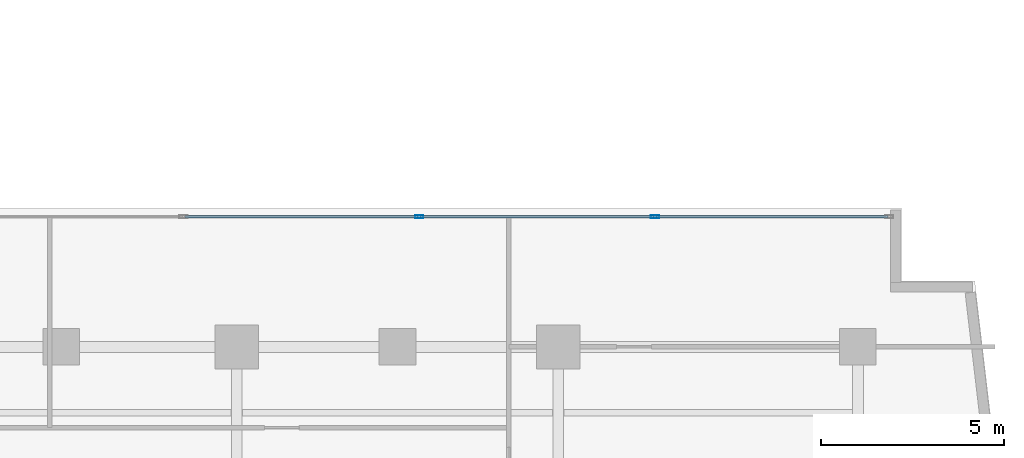
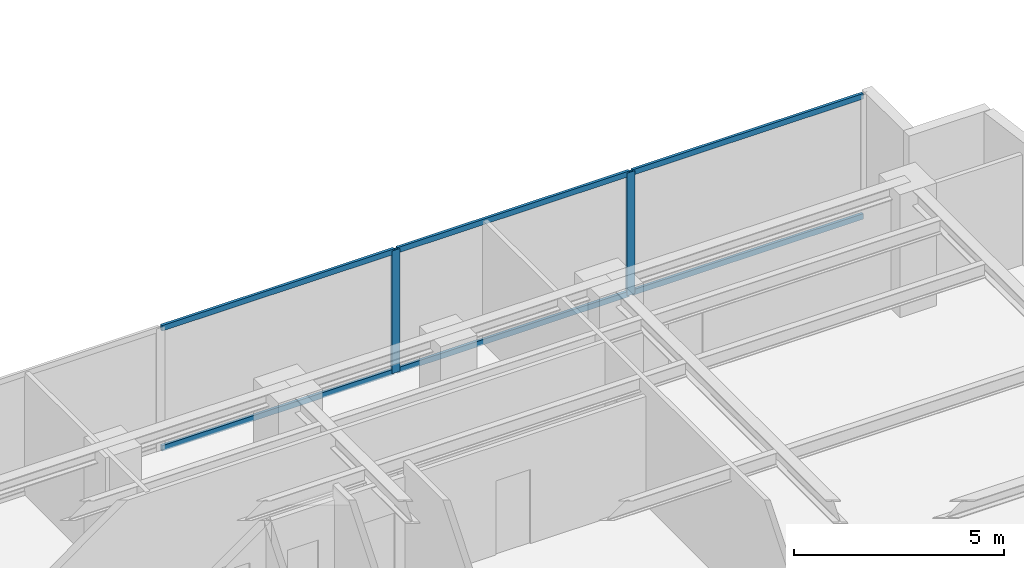
# One storey, part 13 of 26: 8 members, 1 element without a shape of its own.
"""IFC4 building model written with IfcOpenShell, lengths in metres."""

import ifcopenshell
import ifcopenshell.guid

model = None  # the IFC model being written
_history = None  # IfcOwnerHistory: only IFC2X3 demands one
_inside = {}  # id of a spatial element -> (the spatial element, [elements in it])
_under = {}  # id of a project, library or spatial element -> (it, [spatial elements below it])
_declared = {}  # id of a project -> (the project, [libraries it declares])
_typed = {}  # id of a type object -> (the type object, [elements of that type])
_made_of = {}  # id of a material, layer set ... -> (it, [elements and type objects made of it])


def new_model(schema):
    """Start an empty IFC model of exactly this schema.

    Asked for "IFC4X3", IfcOpenShell would pick the latest addendum, in which some entities
    have other attributes; the version numbers below select the first issue.
    IFC2X3 requires an IfcOwnerHistory on every rooted entity: one is made here for all.
    """
    global model, _history
    if schema == "IFC4X3":
        model = ifcopenshell.file(schema_version=(4, 3, 0, 0))
    else:
        model = ifcopenshell.file(schema=schema)
    _inside.clear()
    _under.clear()
    _declared.clear()
    _typed.clear()
    _made_of.clear()
    _history = None
    if model.schema == "IFC2X3":
        org = make("IfcOrganization", Name="unknown")
        user = make(
            "IfcPersonAndOrganization",
            ThePerson=make("IfcPerson", FamilyName="unknown"),
            TheOrganization=org,
        )
        app = make(
            "IfcApplication",
            ApplicationDeveloper=org,
            Version="unknown",
            ApplicationFullName="unknown",
            ApplicationIdentifier="unknown",
        )
        _history = make(
            "IfcOwnerHistory",
            OwningUser=user,
            OwningApplication=app,
            ChangeAction="ADDED",
            CreationDate=0,
        )
    return model


def make(cls, **values):
    """One entity of the class cls with the attributes given. An attribute that is None is left unset."""
    return model.create_entity(
        cls, **{name: value for name, value in values.items() if value is not None}
    )


def rooted(cls, **values):
    """An entity with a GlobalId (a new one), such as an element, a storey or a relation."""
    return make(cls, GlobalId=ifcopenshell.guid.new(), OwnerHistory=_history, **values)


def si_unit(unit_type, name, prefix=None):
    """IfcSIUnit, for example si_unit("LENGTHUNIT", "METRE", prefix="MILLI")."""
    return make("IfcSIUnit", UnitType=unit_type, Prefix=prefix, Name=name)


def assignment(units):
    """IfcUnitAssignment: the units of a project."""
    return None if units is None else make("IfcUnitAssignment", Units=units)


def point(xyz):
    """IfcCartesianPoint."""
    return None if xyz is None else make("IfcCartesianPoint", Coordinates=xyz)


def direction(xyz):
    """IfcDirection."""
    return None if xyz is None else make("IfcDirection", DirectionRatios=xyz)


def frame(location, z_axis=None, x_axis=None):
    """IfcAxis2Placement3D, a coordinate frame: its origin and axes. An axis left out is left unset."""
    return make(
        "IfcAxis2Placement3D",
        Location=point(location),
        Axis=direction(z_axis),
        RefDirection=direction(x_axis),
    )


def frame_2d(location, x_axis=None):
    """IfcAxis2Placement2D, a coordinate frame in the plane: its origin and x axis."""
    return make(
        "IfcAxis2Placement2D", Location=point(location), RefDirection=direction(x_axis)
    )


def origin():
    """The frame at (0, 0, 0) with its axes left unset."""
    return frame((0.0, 0.0, 0.0))


def origin_with_axes():
    """The frame at (0, 0, 0) with the z axis (0, 0, 1) and the x axis (1, 0, 0) written out."""
    return frame((0.0, 0.0, 0.0), z_axis=(0.0, 0.0, 1.0), x_axis=(1.0, 0.0, 0.0))


def origin_2d():
    """The frame at (0, 0) in the plane with its x axis left unset."""
    return frame_2d((0.0, 0.0))


def place(relative_to, where):
    """IfcLocalPlacement: puts the frame where relative to a parent placement (None: the world)."""
    return make(
        "IfcLocalPlacement", PlacementRelTo=relative_to, RelativePlacement=where
    )


def context(
    kind, dimensions, precision=None, world=None, true_north=None, identifier=None
):
    """IfcGeometricRepresentationContext, for example the 3D "Model" context."""
    return make(
        "IfcGeometricRepresentationContext",
        ContextIdentifier=identifier,
        ContextType=kind,
        CoordinateSpaceDimension=dimensions,
        Precision=precision,
        WorldCoordinateSystem=world,
        TrueNorth=true_north,
    )


def subcontext(parent, identifier, kind, view, scale=None):
    """IfcGeometricRepresentationSubContext, for example "Body" below "Model"."""
    return make(
        "IfcGeometricRepresentationSubContext",
        ContextIdentifier=identifier,
        ContextType=kind,
        ParentContext=parent,
        TargetScale=scale,
        TargetView=view,
    )


def project(units=None, contexts=None):
    """IfcProject with its units and contexts."""
    return rooted(
        "IfcProject",
        Name="project",
        RepresentationContexts=contexts,
        UnitsInContext=assignment(units),
    )


def spatial(cls, under=None, at=None, **own):
    """A site, building, storey or space (cls), placed at a placement, below another one or the project."""
    s = rooted(cls, ObjectPlacement=at, **own)
    if under is not None:
        _under.setdefault(under.id(), (under, []))[1].append(s)
    return s


def profile(cls, at=None, kind="AREA", **sizes):
    """A parametric profile (cls). Its sizes go by their IFC names, for example OverallWidth=200.0."""
    return make(cls, ProfileType=kind, Position=at, **sizes)


def hollow_rectangle(**sizes):
    """IfcRectangleHollowProfileDef."""
    return profile("IfcRectangleHollowProfileDef", **sizes)


def extrude(swept, where, along, depth):
    """IfcExtrudedAreaSolid: the profile swept, set in the frame where, extruded along a direction by depth."""
    return make(
        "IfcExtrudedAreaSolid",
        SweptArea=swept,
        Position=where,
        ExtrudedDirection=direction(along),
        Depth=depth,
    )


def shape(context_of_items, identifier, shape_type, items):
    """IfcShapeRepresentation: the items that make up one representation, for example the "Body"."""
    return make(
        "IfcShapeRepresentation",
        ContextOfItems=context_of_items,
        RepresentationIdentifier=identifier,
        RepresentationType=shape_type,
        Items=items,
    )


def source(mapping_origin, context_of_items, identifier, shape_type, items):
    """IfcRepresentationMap: a shape defined once, which mapped items show again and again."""
    return make(
        "IfcRepresentationMap",
        MappingOrigin=mapping_origin,
        MappedRepresentation=shape(context_of_items, identifier, shape_type, items),
    )


def transform(
    local_origin,
    x_axis=None,
    y_axis=None,
    z_axis=None,
    scale=None,
    scale2=None,
    scale3=None,
    uniform=True,
):
    """IfcCartesianTransformationOperator3D, or its non-uniform kind. x_axis, y_axis, z_axis: its Axis1, 2, 3."""
    if uniform:
        return make(
            "IfcCartesianTransformationOperator3D",
            Axis1=direction(x_axis),
            Axis2=direction(y_axis),
            LocalOrigin=point(local_origin),
            Scale=scale,
            Axis3=direction(z_axis),
        )
    return make(
        "IfcCartesianTransformationOperator3DnonUniform",
        Axis1=direction(x_axis),
        Axis2=direction(y_axis),
        LocalOrigin=point(local_origin),
        Scale=scale,
        Axis3=direction(z_axis),
        Scale2=scale2,
        Scale3=scale3,
    )


def mapped(mapping_source, mapping_target):
    """IfcMappedItem: shows the shape of a source again, moved by a transform."""
    return make(
        "IfcMappedItem", MappingSource=mapping_source, MappingTarget=mapping_target
    )


def material(Name=None, Category=None):
    """IfcMaterial."""
    return make("IfcMaterial", Name=Name, Category=Category)


def layer(
    of_material, thickness, ventilated=None, Name=None, Category=None, Priority=None
):
    """IfcMaterialLayer: one layer of a wall or slab, of a material (None: an air gap)."""
    return make(
        "IfcMaterialLayer",
        Material=of_material,
        LayerThickness=thickness,
        IsVentilated=ventilated,
        Name=Name,
        Category=Category,
        Priority=Priority,
    )


def layer_set(layers, Name=None):
    """IfcMaterialLayerSet."""
    return make("IfcMaterialLayerSet", MaterialLayers=layers, LayerSetName=Name)


def material_profile(
    of_material, cross_section, Name=None, Category=None, Priority=None
):
    """IfcMaterialProfile: a cross section and its material."""
    return make(
        "IfcMaterialProfile",
        Name=Name,
        Material=of_material,
        Profile=cross_section,
        Priority=Priority,
        Category=Category,
    )


def profile_set(profiles, Name=None, composite=None):
    """IfcMaterialProfileSet."""
    return make(
        "IfcMaterialProfileSet",
        Name=Name,
        MaterialProfiles=profiles,
        CompositeProfile=composite,
    )


def made_of(thing, what):
    """Note that an element or type object is made of a material, layer set ...; save() writes the relation."""
    if what is not None:
        _made_of.setdefault(what.id(), (what, []))[1].append(thing)
    return thing


def type_object(cls, material=None, **own):
    """A type object (cls), such as IfcWallType, which elements share."""
    return made_of(rooted(cls, **own), material)


def element(
    cls,
    number,
    at=None,
    inside=None,
    cuts=None,
    type_object=None,
    material=None,
    context=None,
    identifier="Body",
    shape_type=None,
    held_by="IfcProductDefinitionShape",
    body=None,
    shapes=None,
    **own,
):
    """One element of the class cls, such as IfcWall. Its Tag is "e" and its number.

    at: its placement. inside: the storey or other place that contains it. cuts: it is an
    opening in that element (IfcRelVoidsElement). A single representation is given by context,
    identifier, shape_type and body (its items); several are given by shapes. held_by: the class
    of the entity that holds the representations. save() writes the other relations.
    """
    e = rooted(cls, Tag="e%d" % number, ObjectPlacement=at, **own)
    if body is not None:
        shapes = [shape(context, identifier, shape_type, body)]
    if shapes is not None:
        e.Representation = make(held_by, Representations=shapes)
    if inside is not None:
        _inside.setdefault(inside.id(), (inside, []))[1].append(e)
    if cuts is not None:
        rooted(
            "IfcRelVoidsElement", RelatingBuildingElement=cuts, RelatedOpeningElement=e
        )
    if type_object is not None:
        _typed.setdefault(type_object.id(), (type_object, []))[1].append(e)
    return made_of(e, material)


def aggregate(whole, parts):
    """IfcRelAggregates: a whole, such as a stair, and the parts it consists of."""
    return rooted("IfcRelAggregates", RelatingObject=whole, RelatedObjects=parts)


def save(model, path):
    """Write the relations noted so far, then the file.

    IfcRelAggregates (storeys below a building ...), IfcRelContainedInSpatialStructure (elements
    in a storey), IfcRelDefinesByType, IfcRelAssociatesMaterial and IfcRelDeclares: one each for
    every whole, place, type object, material and project.
    """
    for whole, parts in _under.values():
        aggregate(whole, parts)
    for where, things in _inside.values():
        rooted(
            "IfcRelContainedInSpatialStructure",
            RelatedElements=things,
            RelatingStructure=where,
        )
    for kind, things in _typed.values():
        rooted("IfcRelDefinesByType", RelatedObjects=things, RelatingType=kind)
    for what, things in _made_of.values():
        rooted("IfcRelAssociatesMaterial", RelatedObjects=things, RelatingMaterial=what)
    for by, libraries in _declared.values():
        rooted("IfcRelDeclares", RelatingContext=by, RelatedDefinitions=libraries)
    model.write(path)


model = new_model("IFC4")

# Units and contexts
model_context = context("Model", 3, precision=1e-05, world=origin(), true_north=direction((0.0, 1.0)))
body_context = subcontext(model_context, "Body", "Model", "MODEL_VIEW")
ifc_project = project(units=[si_unit("LENGTHUNIT", "METRE"), si_unit("AREAUNIT", "SQUARE_METRE"), si_unit("VOLUMEUNIT", "CUBIC_METRE"), si_unit("PLANEANGLEUNIT", "RADIAN"), si_unit("MASSUNIT", "GRAM", prefix="KILO")], contexts=[model_context])

# Site, building, storey
site_placement = place(None, origin())
site = spatial("IfcSite", under=ifc_project, at=site_placement, CompositionType="ELEMENT")
building_placement = place(site_placement, origin())
building = spatial("IfcBuilding", under=site, at=building_placement, Name="Kolvaren Waterfront Exchange", CompositionType="ELEMENT")
storey_placement = place(building_placement, frame((0.0, 0.0, 165.199951171875)))
storey = spatial("IfcBuildingStorey", under=building, at=storey_placement, Name="L42", CompositionType="ELEMENT", Elevation=165.199951171875)

# Curtain wall, members
ifc_material_1 = material(Name="Anodised bronze aluminium 6063-T6", Category="aluminium")
ifc_layer = layer(ifc_material_1, 0.219970703125, Name="Anodised bronze aluminium 6063-T6")
ifc_layer_set = layer_set([ifc_layer], Name="Anodised bronze aluminium 6063-T6")
curtain_wall_type = type_object("IfcCurtainWallType", Name="ARC-CW-SYS1", PredefinedType="USERDEFINED", material=ifc_layer_set)
curtain_wall_placement = place(storey_placement, origin())
curtain_wall = element("IfcCurtainWall", 1, at=curtain_wall_placement, inside=storey, type_object=curtain_wall_type, Name="L42 stick curtain wall CW1 (CW-L42-EN)", ObjectType="STICK CURTAIN WALL", PredefinedType="USERDEFINED")
ifc_material_2 = material(Name="Anodised aluminium 6063-T6", Category="aluminium")
ifc_material_profile_1 = material_profile(ifc_material_2, hollow_rectangle(XDim=0.080078125, YDim=0.219970703125, WallThickness=0.0048828125, at=origin_2d()), Name="ALU-MUL-220x80x5")
ifc_profile_set_1 = profile_set([ifc_material_profile_1], Name="Anodised aluminium 6063-T6")
member_type_1 = type_object("IfcMemberType", Name="ARC-CWM-220", PredefinedType="MULLION", material=ifc_profile_set_1)
shared_shape_1 = source(origin_with_axes(), body_context, "Body", "SweptSolid", [
    extrude(hollow_rectangle(XDim=0.080078125, YDim=0.219970703125, WallThickness=0.0048828125, at=origin_2d()), origin(), (0.0, 0.0, 1.0), 3.56005859375),
])
member_1_placement = place(storey_placement, frame((41.794921875, 20.9599609375, 0.0), z_axis=(0.0, 0.0, 1.0), x_axis=(0.0, 1.0, 0.0)))
member_1 = element("IfcMember", 2, at=member_1_placement, type_object=member_type_1, Name="CW1 mullion 3", PredefinedType="MULLION", context=body_context, shape_type="MappedRepresentation", body=[
    mapped(shared_shape_1, transform((0.0, 0.0, 0.0), x_axis=(1.0, 0.0, 0.0), y_axis=(0.0, 1.0, 0.0), z_axis=(0.0, 0.0, 1.0), scale=1.0)),
])
member_2_placement = place(storey_placement, frame((48.24755859375, 20.9599609375, 0.0), z_axis=(0.0, 0.0, 1.0), x_axis=(0.0, 1.0, 0.0)))
member_2 = element("IfcMember", 3, at=member_2_placement, type_object=member_type_1, Name="CW1 mullion 4", PredefinedType="MULLION", context=body_context, shape_type="MappedRepresentation", body=[
    mapped(shared_shape_1, transform((0.0, 0.0, 0.0), x_axis=(1.0, 0.0, 0.0), y_axis=(0.0, 1.0, 0.0), z_axis=(0.0, 0.0, 1.0), scale=1.0)),
])
ifc_material_profile_2 = material_profile(ifc_material_2, hollow_rectangle(XDim=0.074951171875, YDim=0.159912109375, WallThickness=0.00439453125, at=origin_2d()), Name="ALU-TRN-160x75x4.5")
ifc_profile_set_2 = profile_set([ifc_material_profile_2], Name="Anodised aluminium 6063-T6")
member_type_2 = type_object("IfcMemberType", Name="ARC-CWT-160", PredefinedType="USERDEFINED", material=ifc_profile_set_2)
shared_shape_2 = source(origin_with_axes(), body_context, "Body", "SweptSolid", [
    extrude(hollow_rectangle(XDim=0.074951171875, YDim=0.159912109375, WallThickness=0.00439453125, at=origin_2d()), origin(), (0.0, 0.0, 1.0), 6.33251953125),
])
member_3_placement = place(storey_placement, frame((48.28759765625, 20.9599609375, 0.03759765625), z_axis=(1.0, 0.0, 0.0), x_axis=(0.0, 1.0, 0.0)))
member_3 = element("IfcMember", 4, at=member_3_placement, type_object=member_type_2, Name="CW1 transom 4.1", ObjectType="TRANSOM", PredefinedType="USERDEFINED", context=body_context, shape_type="MappedRepresentation", body=[
    mapped(shared_shape_2, transform((0.0, 0.0, 0.0), x_axis=(1.0, 0.0, 0.0), y_axis=(0.0, 1.0, 0.0), z_axis=(0.0, 0.0, 1.0), scale=1.0)),
])
member_4_placement = place(storey_placement, frame((48.28759765625, 20.9599609375, 3.5224609375), z_axis=(1.0, 0.0, 0.0), x_axis=(0.0, 1.0, 0.0)))
member_4 = element("IfcMember", 5, at=member_4_placement, type_object=member_type_2, Name="CW1 transom 4.2", ObjectType="TRANSOM", PredefinedType="USERDEFINED", context=body_context, shape_type="MappedRepresentation", body=[
    mapped(shared_shape_2, transform((0.0, 0.0, 0.0), x_axis=(1.0, 0.0, 0.0), y_axis=(0.0, 1.0, 0.0), z_axis=(0.0, 0.0, 1.0), scale=1.0)),
])
shared_shape_3 = source(origin_with_axes(), body_context, "Body", "SweptSolid", [
    extrude(hollow_rectangle(XDim=0.074951171875, YDim=0.159912109375, WallThickness=0.00439453125, at=origin_2d()), origin(), (0.0, 0.0, 1.0), 6.372314453125),
])
member_5_placement = place(storey_placement, frame((35.382568359375, 20.9599609375, 0.03759765625), z_axis=(1.0, 0.0, 0.0), x_axis=(0.0, 1.0, 0.0)))
member_5 = element("IfcMember", 6, at=member_5_placement, type_object=member_type_2, Name="CW1 transom 2.1", ObjectType="TRANSOM", PredefinedType="USERDEFINED", context=body_context, shape_type="MappedRepresentation", body=[
    mapped(shared_shape_3, transform((0.0, 0.0, 0.0), x_axis=(1.0, 0.0, 0.0), y_axis=(0.0, 1.0, 0.0), z_axis=(0.0, 0.0, 1.0), scale=1.0)),
])
member_6_placement = place(storey_placement, frame((35.382568359375, 20.9599609375, 3.5224609375), z_axis=(1.0, 0.0, 0.0), x_axis=(0.0, 1.0, 0.0)))
member_6 = element("IfcMember", 7, at=member_6_placement, type_object=member_type_2, Name="CW1 transom 2.2", ObjectType="TRANSOM", PredefinedType="USERDEFINED", context=body_context, shape_type="MappedRepresentation", body=[
    mapped(shared_shape_3, transform((0.0, 0.0, 0.0), x_axis=(1.0, 0.0, 0.0), y_axis=(0.0, 1.0, 0.0), z_axis=(0.0, 0.0, 1.0), scale=1.0)),
])
shared_shape_4 = source(origin_with_axes(), body_context, "Body", "SweptSolid", [
    extrude(hollow_rectangle(XDim=0.074951171875, YDim=0.159912109375, WallThickness=0.00439453125, at=origin_2d()), origin(), (0.0, 0.0, 1.0), 6.37255859375),
])
member_7_placement = place(storey_placement, frame((41.8349609375, 20.9599609375, 0.03759765625), z_axis=(1.0, 0.0, 0.0), x_axis=(0.0, 1.0, 0.0)))
member_7 = element("IfcMember", 8, at=member_7_placement, type_object=member_type_2, Name="CW1 transom 3.1", ObjectType="TRANSOM", PredefinedType="USERDEFINED", context=body_context, shape_type="MappedRepresentation", body=[
    mapped(shared_shape_4, transform((0.0, 0.0, 0.0), x_axis=(1.0, 0.0, 0.0), y_axis=(0.0, 1.0, 0.0), z_axis=(0.0, 0.0, 1.0), scale=1.0)),
])
member_8_placement = place(storey_placement, frame((41.8349609375, 20.9599609375, 3.5224609375), z_axis=(1.0, 0.0, 0.0), x_axis=(0.0, 1.0, 0.0)))
member_8 = element("IfcMember", 9, at=member_8_placement, type_object=member_type_2, Name="CW1 transom 3.2", ObjectType="TRANSOM", PredefinedType="USERDEFINED", context=body_context, shape_type="MappedRepresentation", body=[
    mapped(shared_shape_4, transform((0.0, 0.0, 0.0), x_axis=(1.0, 0.0, 0.0), y_axis=(0.0, 1.0, 0.0), z_axis=(0.0, 0.0, 1.0), scale=1.0)),
])
aggregate(curtain_wall, [member_1, member_2, member_5, member_6, member_7, member_8, member_3, member_4])

save(model, "model.ifc")
